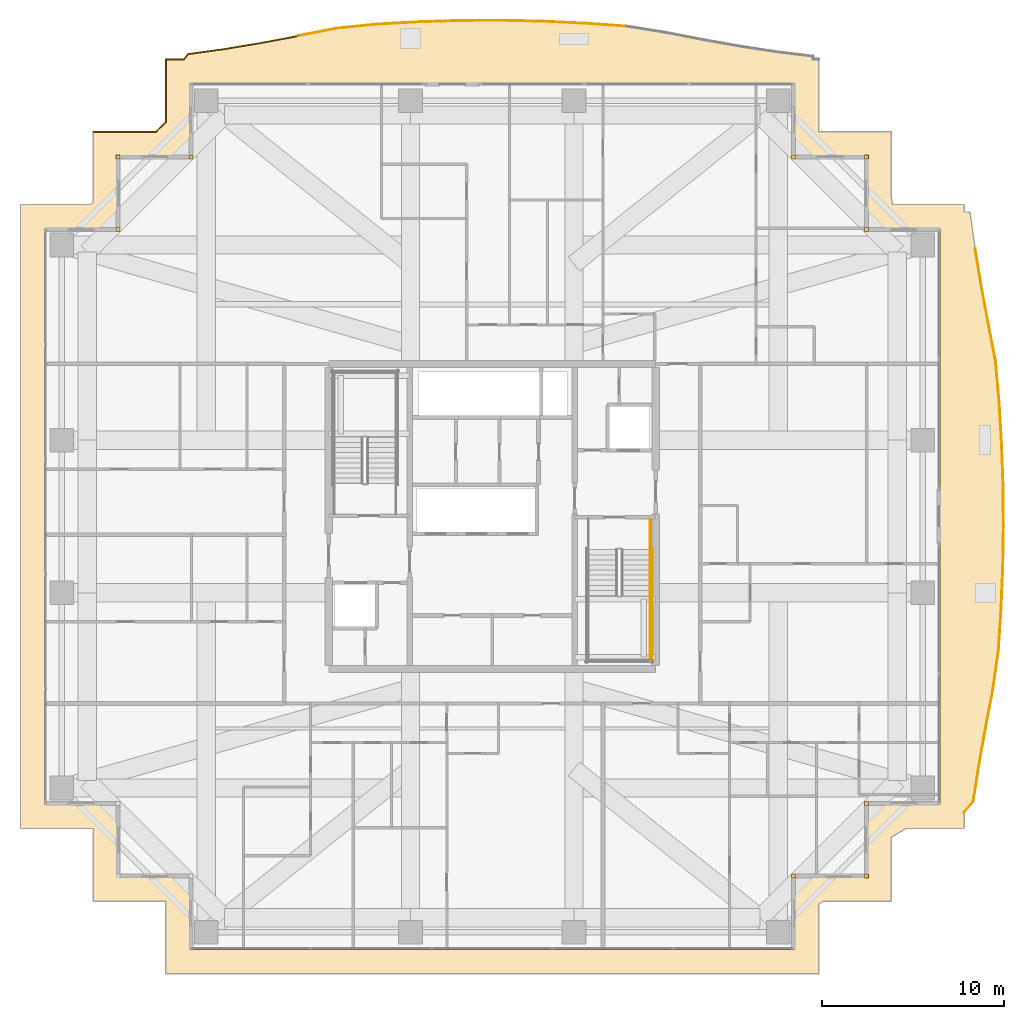
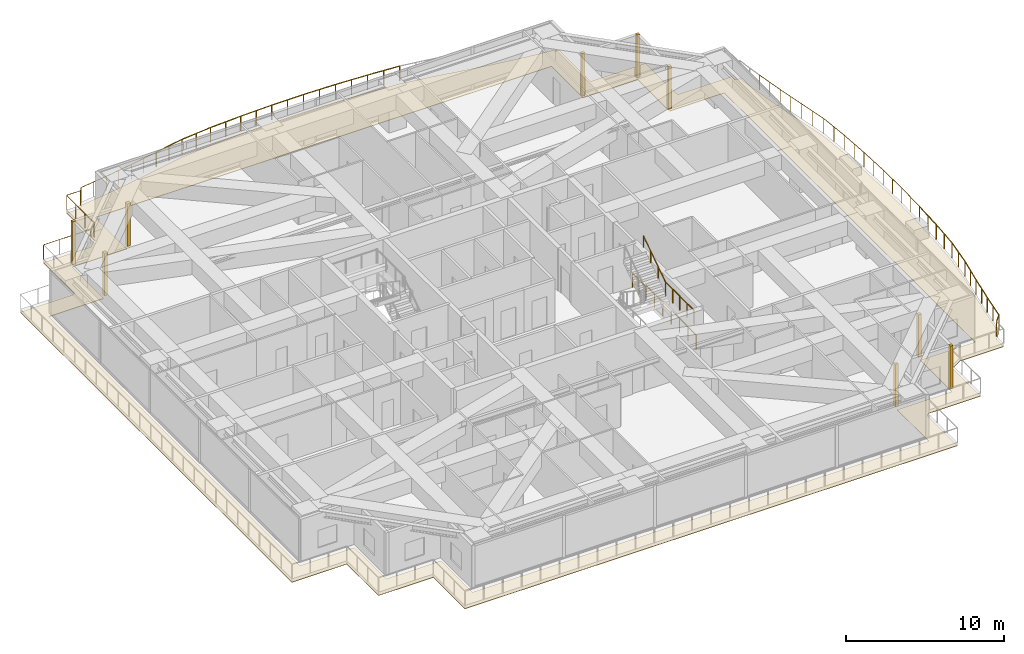
# One storey, part 31 of 32: 10 coverings, 8 railings.
"""IFC4 building model written with IfcOpenShell, lengths in metres."""

import ifcopenshell
import ifcopenshell.guid

model = None  # the IFC model being written
_history = None  # IfcOwnerHistory: only IFC2X3 demands one
_inside = {}  # id of a spatial element -> (the spatial element, [elements in it])
_under = {}  # id of a project, library or spatial element -> (it, [spatial elements below it])
_declared = {}  # id of a project -> (the project, [libraries it declares])
_typed = {}  # id of a type object -> (the type object, [elements of that type])
_made_of = {}  # id of a material, layer set ... -> (it, [elements and type objects made of it])


def new_model(schema):
    """Start an empty IFC model of exactly this schema.

    Asked for "IFC4X3", IfcOpenShell would pick the latest addendum, in which some entities
    have other attributes; the version numbers below select the first issue.
    IFC2X3 requires an IfcOwnerHistory on every rooted entity: one is made here for all.
    """
    global model, _history
    if schema == "IFC4X3":
        model = ifcopenshell.file(schema_version=(4, 3, 0, 0))
    else:
        model = ifcopenshell.file(schema=schema)
    _inside.clear()
    _under.clear()
    _declared.clear()
    _typed.clear()
    _made_of.clear()
    _history = None
    if model.schema == "IFC2X3":
        org = make("IfcOrganization", Name="unknown")
        user = make(
            "IfcPersonAndOrganization",
            ThePerson=make("IfcPerson", FamilyName="unknown"),
            TheOrganization=org,
        )
        app = make(
            "IfcApplication",
            ApplicationDeveloper=org,
            Version="unknown",
            ApplicationFullName="unknown",
            ApplicationIdentifier="unknown",
        )
        _history = make(
            "IfcOwnerHistory",
            OwningUser=user,
            OwningApplication=app,
            ChangeAction="ADDED",
            CreationDate=0,
        )
    return model


def make(cls, **values):
    """One entity of the class cls with the attributes given. An attribute that is None is left unset."""
    return model.create_entity(
        cls, **{name: value for name, value in values.items() if value is not None}
    )


def rooted(cls, **values):
    """An entity with a GlobalId (a new one), such as an element, a storey or a relation."""
    return make(cls, GlobalId=ifcopenshell.guid.new(), OwnerHistory=_history, **values)


def si_unit(unit_type, name, prefix=None):
    """IfcSIUnit, for example si_unit("LENGTHUNIT", "METRE", prefix="MILLI")."""
    return make("IfcSIUnit", UnitType=unit_type, Prefix=prefix, Name=name)


def assignment(units):
    """IfcUnitAssignment: the units of a project."""
    return None if units is None else make("IfcUnitAssignment", Units=units)


def point(xyz):
    """IfcCartesianPoint."""
    return None if xyz is None else make("IfcCartesianPoint", Coordinates=xyz)


def direction(xyz):
    """IfcDirection."""
    return None if xyz is None else make("IfcDirection", DirectionRatios=xyz)


def frame(location, z_axis=None, x_axis=None):
    """IfcAxis2Placement3D, a coordinate frame: its origin and axes. An axis left out is left unset."""
    return make(
        "IfcAxis2Placement3D",
        Location=point(location),
        Axis=direction(z_axis),
        RefDirection=direction(x_axis),
    )


def frame_2d(location, x_axis=None):
    """IfcAxis2Placement2D, a coordinate frame in the plane: its origin and x axis."""
    return make(
        "IfcAxis2Placement2D", Location=point(location), RefDirection=direction(x_axis)
    )


def origin():
    """The frame at (0, 0, 0) with its axes left unset."""
    return frame((0.0, 0.0, 0.0))


def origin_2d():
    """The frame at (0, 0) in the plane with its x axis left unset."""
    return frame_2d((0.0, 0.0))


def place(relative_to, where):
    """IfcLocalPlacement: puts the frame where relative to a parent placement (None: the world)."""
    return make(
        "IfcLocalPlacement", PlacementRelTo=relative_to, RelativePlacement=where
    )


def context(
    kind, dimensions, precision=None, world=None, true_north=None, identifier=None
):
    """IfcGeometricRepresentationContext, for example the 3D "Model" context."""
    return make(
        "IfcGeometricRepresentationContext",
        ContextIdentifier=identifier,
        ContextType=kind,
        CoordinateSpaceDimension=dimensions,
        Precision=precision,
        WorldCoordinateSystem=world,
        TrueNorth=true_north,
    )


def subcontext(parent, identifier, kind, view, scale=None):
    """IfcGeometricRepresentationSubContext, for example "Body" below "Model"."""
    return make(
        "IfcGeometricRepresentationSubContext",
        ContextIdentifier=identifier,
        ContextType=kind,
        ParentContext=parent,
        TargetScale=scale,
        TargetView=view,
    )


def project(units=None, contexts=None):
    """IfcProject with its units and contexts."""
    return rooted(
        "IfcProject",
        Name="project",
        RepresentationContexts=contexts,
        UnitsInContext=assignment(units),
    )


def spatial(cls, under=None, at=None, **own):
    """A site, building, storey or space (cls), placed at a placement, below another one or the project."""
    s = rooted(cls, ObjectPlacement=at, **own)
    if under is not None:
        _under.setdefault(under.id(), (under, []))[1].append(s)
    return s


def polyline(points):
    """IfcPolyline through the points."""
    return make("IfcPolyline", Points=[point(p) for p in points])


def profile(cls, at=None, kind="AREA", **sizes):
    """A parametric profile (cls). Its sizes go by their IFC names, for example OverallWidth=200.0."""
    return make(cls, ProfileType=kind, Position=at, **sizes)


def rectangle(**sizes):
    """IfcRectangleProfileDef."""
    return profile("IfcRectangleProfileDef", **sizes)


def circle(**sizes):
    """IfcCircleProfileDef."""
    return profile("IfcCircleProfileDef", **sizes)


def outline(outer, holes=None, kind="AREA"):
    """IfcArbitraryClosedProfileDef: a profile drawn as a closed curve; with holes, ...WithVoids."""
    if holes is None:
        return make("IfcArbitraryClosedProfileDef", ProfileType=kind, OuterCurve=outer)
    return make(
        "IfcArbitraryProfileDefWithVoids",
        ProfileType=kind,
        OuterCurve=outer,
        InnerCurves=holes,
    )


def extrude(swept, where, along, depth):
    """IfcExtrudedAreaSolid: the profile swept, set in the frame where, extruded along a direction by depth."""
    return make(
        "IfcExtrudedAreaSolid",
        SweptArea=swept,
        Position=where,
        ExtrudedDirection=direction(along),
        Depth=depth,
    )


def shape(context_of_items, identifier, shape_type, items):
    """IfcShapeRepresentation: the items that make up one representation, for example the "Body"."""
    return make(
        "IfcShapeRepresentation",
        ContextOfItems=context_of_items,
        RepresentationIdentifier=identifier,
        RepresentationType=shape_type,
        Items=items,
    )


def source(mapping_origin, context_of_items, identifier, shape_type, items):
    """IfcRepresentationMap: a shape defined once, which mapped items show again and again."""
    return make(
        "IfcRepresentationMap",
        MappingOrigin=mapping_origin,
        MappedRepresentation=shape(context_of_items, identifier, shape_type, items),
    )


def transform(
    local_origin,
    x_axis=None,
    y_axis=None,
    z_axis=None,
    scale=None,
    scale2=None,
    scale3=None,
    uniform=True,
):
    """IfcCartesianTransformationOperator3D, or its non-uniform kind. x_axis, y_axis, z_axis: its Axis1, 2, 3."""
    if uniform:
        return make(
            "IfcCartesianTransformationOperator3D",
            Axis1=direction(x_axis),
            Axis2=direction(y_axis),
            LocalOrigin=point(local_origin),
            Scale=scale,
            Axis3=direction(z_axis),
        )
    return make(
        "IfcCartesianTransformationOperator3DnonUniform",
        Axis1=direction(x_axis),
        Axis2=direction(y_axis),
        LocalOrigin=point(local_origin),
        Scale=scale,
        Axis3=direction(z_axis),
        Scale2=scale2,
        Scale3=scale3,
    )


def mapped(mapping_source, mapping_target):
    """IfcMappedItem: shows the shape of a source again, moved by a transform."""
    return make(
        "IfcMappedItem", MappingSource=mapping_source, MappingTarget=mapping_target
    )


def material(Name=None, Category=None):
    """IfcMaterial."""
    return make("IfcMaterial", Name=Name, Category=Category)


def layer(
    of_material, thickness, ventilated=None, Name=None, Category=None, Priority=None
):
    """IfcMaterialLayer: one layer of a wall or slab, of a material (None: an air gap)."""
    return make(
        "IfcMaterialLayer",
        Material=of_material,
        LayerThickness=thickness,
        IsVentilated=ventilated,
        Name=Name,
        Category=Category,
        Priority=Priority,
    )


def layer_set(layers, Name=None):
    """IfcMaterialLayerSet."""
    return make("IfcMaterialLayerSet", MaterialLayers=layers, LayerSetName=Name)


def made_of(thing, what):
    """Note that an element or type object is made of a material, layer set ...; save() writes the relation."""
    if what is not None:
        _made_of.setdefault(what.id(), (what, []))[1].append(thing)
    return thing


def type_object(cls, material=None, **own):
    """A type object (cls), such as IfcWallType, which elements share."""
    return made_of(rooted(cls, **own), material)


def element(
    cls,
    number,
    at=None,
    inside=None,
    cuts=None,
    type_object=None,
    material=None,
    context=None,
    identifier="Body",
    shape_type=None,
    held_by="IfcProductDefinitionShape",
    body=None,
    shapes=None,
    **own,
):
    """One element of the class cls, such as IfcWall. Its Tag is "e" and its number.

    at: its placement. inside: the storey or other place that contains it. cuts: it is an
    opening in that element (IfcRelVoidsElement). A single representation is given by context,
    identifier, shape_type and body (its items); several are given by shapes. held_by: the class
    of the entity that holds the representations. save() writes the other relations.
    """
    e = rooted(cls, Tag="e%d" % number, ObjectPlacement=at, **own)
    if body is not None:
        shapes = [shape(context, identifier, shape_type, body)]
    if shapes is not None:
        e.Representation = make(held_by, Representations=shapes)
    if inside is not None:
        _inside.setdefault(inside.id(), (inside, []))[1].append(e)
    if cuts is not None:
        rooted(
            "IfcRelVoidsElement", RelatingBuildingElement=cuts, RelatedOpeningElement=e
        )
    if type_object is not None:
        _typed.setdefault(type_object.id(), (type_object, []))[1].append(e)
    return made_of(e, material)


def aggregate(whole, parts):
    """IfcRelAggregates: a whole, such as a stair, and the parts it consists of."""
    return rooted("IfcRelAggregates", RelatingObject=whole, RelatedObjects=parts)


def save(model, path):
    """Write the relations noted so far, then the file.

    IfcRelAggregates (storeys below a building ...), IfcRelContainedInSpatialStructure (elements
    in a storey), IfcRelDefinesByType, IfcRelAssociatesMaterial and IfcRelDeclares: one each for
    every whole, place, type object, material and project.
    """
    for whole, parts in _under.values():
        aggregate(whole, parts)
    for where, things in _inside.values():
        rooted(
            "IfcRelContainedInSpatialStructure",
            RelatedElements=things,
            RelatingStructure=where,
        )
    for kind, things in _typed.values():
        rooted("IfcRelDefinesByType", RelatedObjects=things, RelatingType=kind)
    for what, things in _made_of.values():
        rooted("IfcRelAssociatesMaterial", RelatedObjects=things, RelatingMaterial=what)
    for by, libraries in _declared.values():
        rooted("IfcRelDeclares", RelatingContext=by, RelatedDefinitions=libraries)
    model.write(path)


model = new_model("IFC4")

# Units and contexts
model_context = context("Model", 3, precision=1e-05, world=origin(), true_north=direction((0.0, 1.0)))
body_context = subcontext(model_context, "Body", "Model", "MODEL_VIEW")
ifc_project = project(units=[si_unit("LENGTHUNIT", "METRE"), si_unit("AREAUNIT", "SQUARE_METRE"), si_unit("VOLUMEUNIT", "CUBIC_METRE"), si_unit("PLANEANGLEUNIT", "RADIAN"), si_unit("MASSUNIT", "GRAM", prefix="KILO")], contexts=[model_context])

# Site, building, storey
site_placement = place(None, origin())
site = spatial("IfcSite", under=ifc_project, at=site_placement, CompositionType="ELEMENT")
building_placement = place(site_placement, origin())
building = spatial("IfcBuilding", under=site, at=building_placement, Name="Serunith Strait Residences", CompositionType="ELEMENT")
storey_placement = place(building_placement, frame((0.0, 0.0, 195.14990234375)))
storey = spatial("IfcBuildingStorey", under=building, at=storey_placement, Name="L49", CompositionType="ELEMENT", Elevation=195.14990234375)

# Covering
ifc_material_1 = material(Name="Golden Teak Exterior Timber Boarding", Category="wood")
ifc_layer_1 = layer(ifc_material_1, 0.034912109375, Name="Golden Teak Exterior Timber Boarding")
ifc_layer_set_1 = layer_set([ifc_layer_1], Name="Golden Teak Exterior Timber Boarding")
covering_type_1 = type_object("IfcCoveringType", Name="COV-TEAK-SOFFIT", PredefinedType="CEILING", material=ifc_layer_set_1)
covering_placement = place(storey_placement, frame((0.0, 0.0, -0.324951171875)))
element("IfcCovering", 1, at=covering_placement, inside=storey, type_object=covering_type_1, Name="L49 Golden-Teak Balcony Soffit Lining", PredefinedType="CEILING", context=body_context, shape_type="SweptSolid", body=[
    extrude(outline(polyline([(10.419921875, 46.3798828125), (13.86669921875, 46.3798828125), (14.419921875, 46.912109375), (14.419921875, 50.3798828125), (15.430908203125, 50.3798828125), (15.63623046875, 50.666748046875), (17.635009765625, 50.944091796875), (19.652587890625, 51.279296875), (21.706787109375, 51.66455078125), (23.81787109375, 52.07568359375), (26.0419921875, 52.302734375), (28.319091796875, 52.4306640625), (30.621826171875, 52.50341796875), (32.935546875, 52.513916015625), (35.244384765625, 52.461181640625), (37.533447265625, 52.350341796875), (39.790771484375, 52.1923828125), (41.95361328125, 51.845703125), (44.033203125, 51.443603515625), (46.06640625, 51.0830078125), (48.072998046875, 50.7783203125), (50.068603515625, 50.531982421875), (50.0673828125, 50.3798828125), (50.3798828125, 50.3798828125), (50.3798828125, 46.3798828125), (54.3798828125, 46.3798828125), (54.3798828125, 42.7314453125), (54.431884765625, 42.3798828125), (58.3798828125, 42.3798828125), (58.3798828125, 41.973876953125), (58.708984375, 41.955078125), (58.98974609375, 39.9541015625), (59.325927734375, 37.933349609375), (59.70849609375, 35.87548828125), (60.1142578125, 33.76220703125), (60.315673828125, 31.535888671875), (60.44921875, 29.266845703125), (60.531494140625, 26.972412109375), (60.5546875, 24.666015625), (60.51611328125, 22.36181640625), (60.419677734375, 20.074462890625), (60.274658203125, 17.81591796875), (59.96435546875, 15.638427734375), (59.564697265625, 13.55029296875), (59.198486328125, 11.51025390625), (58.8837890625, 9.5), (58.3798828125, 8.912353515625), (58.3798828125, 8.02001953125), (55.173583984375, 8.02001953125), (54.3798828125, 7.54736328125), (54.3798828125, 4.02001953125), (50.606689453125, 4.02001953125), (50.3798828125, 3.838134765625), (50.3798828125, 0.02001953125), (14.419921875, 0.02001953125), (14.419921875, 4.02001953125), (10.419921875, 4.02001953125), (10.419921875, 8.02001953125), (6.419921875, 8.02001953125), (6.419921875, 42.3798828125), (10.284912109375, 42.3798828125), (10.419921875, 42.47802734375), (10.419921875, 46.3798828125)]), holes=[polyline([(49.054931640625, 1.344970703125), (49.054931640625, 5.344970703125), (53.054931640625, 5.344970703125), (53.054931640625, 9.344970703125), (57.054931640625, 9.344970703125), (57.054931640625, 41.054931640625), (53.054931640625, 41.054931640625), (53.054931640625, 45.054931640625), (49.054931640625, 45.054931640625), (49.054931640625, 49.054931640625), (15.7451171875, 49.054931640625), (15.7451171875, 45.054931640625), (11.7451171875, 45.054931640625), (11.7451171875, 41.054931640625), (7.7451171875, 41.054931640625), (7.7451171875, 9.344970703125), (11.7451171875, 9.344970703125), (11.7451171875, 5.344970703125), (15.7451171875, 5.344970703125), (15.7451171875, 1.344970703125), (49.054931640625, 1.344970703125)])]), origin(), (0.0, 0.0, 1.0), 0.03515625),
])

# Railings
ifc_material_2 = material(Name="Stainless Steel & Laminated Glass Balustrade", Category="steel")
railing_type_1 = type_object("IfcRailingType", Name="RLG-BALC-1150", PredefinedType="BALUSTRADE", material=ifc_material_2)
railing_1_placement = place(storey_placement, frame((10.419921875, 46.3798828125, -0.0498046875)))
element("IfcRailing", 2, at=railing_1_placement, inside=storey, type_object=railing_type_1, Name="L49 Swirling Balcony Perimeter Balustrade 1", PredefinedType="BALUSTRADE", context=body_context, shape_type="SweptSolid", body=[
    extrude(circle(Radius=0.02392578125, at=origin_2d()), frame((0.001953125, 0.0, 1.1259765625), z_axis=(1.0, 0.0, 0.0), x_axis=(0.0, 1.0, 0.0)), (0.0, 0.0, 1.0), 3.44287109375),
    extrude(circle(Radius=0.02392578125, at=origin_2d()), frame((3.4482421875, 0.00146484375, 1.1259765625), z_axis=(0.720649703464, 0.693299361673, 0.0), x_axis=(-0.693299361673, 0.720649703464, 0.0)), (0.0, 0.0, 1.0), 0.763671875),
    extrude(circle(Radius=0.02392578125, at=origin_2d()), frame((4.0, 0.5341796875, 1.1259765625), z_axis=(0.0, 1.0, 0.0), x_axis=(-1.0, 0.0, 0.0)), (0.0, 0.0, 1.0), 3.4638671875),
    extrude(circle(Radius=0.02392578125, at=origin_2d()), frame((4.001953125, 4.0, 1.1259765625), z_axis=(1.0, 0.0, 0.0), x_axis=(0.0, 1.0, 0.0)), (0.0, 0.0, 1.0), 1.007080078125),
    extrude(circle(Radius=0.02392578125, at=origin_2d()), frame((5.01220703125, 4.001708984375, 1.1259765625), z_axis=(0.582023505893, 0.813171961265, 0.0), x_axis=(-0.813171961265, 0.582023505893, 0.0)), (0.0, 0.0, 1.0), 0.348876953125),
    extrude(circle(Radius=0.02392578125, at=origin_2d()), frame((5.21826171875, 4.287109375, 1.1259765625), z_axis=(0.990510124192, 0.137439782714, 0.0), x_axis=(-0.137439782714, 0.990510124192, 0.0)), (0.0, 0.0, 1.0), 2.013916015625),
    extrude(circle(Radius=0.02392578125, at=origin_2d()), frame((7.217041015625, 4.564453125, 1.1259765625), z_axis=(0.986477677395, 0.163895674136, 0.0), x_axis=(-0.163895674136, 0.986477677395, 0.0)), (0.0, 0.0, 1.0), 2.041259765625),
    extrude(circle(Radius=0.02392578125, at=origin_2d()), frame((9.234619140625, 4.89990234375, 1.1259765625), z_axis=(0.982864251558, 0.184330852027, 0.0), x_axis=(-0.184330852027, 0.982864251558, 0.0)), (0.0, 0.0, 1.0), 2.0859375),
    extrude(circle(Radius=0.02099609375, at=origin_2d()), origin(), (0.0, 0.0, 1.0), 1.099853515625),
    extrude(circle(Radius=0.02099609375, at=origin_2d()), frame((1.14892578125, 0.0, 0.0)), (0.0, 0.0, 1.0), 1.099853515625),
    extrude(circle(Radius=0.02099609375, at=origin_2d()), frame((2.2978515625, 0.0, 0.0)), (0.0, 0.0, 1.0), 1.099853515625),
    extrude(circle(Radius=0.02099609375, at=origin_2d()), frame((3.44677734375, 0.0, 0.0)), (0.0, 0.0, 1.0), 1.099853515625),
    extrude(circle(Radius=0.02099609375, at=origin_2d()), frame((4.0, 0.5322265625, 0.0)), (0.0, 0.0, 1.0), 1.099853515625),
    extrude(circle(Radius=0.02099609375, at=origin_2d()), frame((4.0, 1.688232421875, 0.0)), (0.0, 0.0, 1.0), 1.099853515625),
    extrude(circle(Radius=0.02099609375, at=origin_2d()), frame((4.0, 2.843994140625, 0.0)), (0.0, 0.0, 1.0), 1.099853515625),
    extrude(circle(Radius=0.02099609375, at=origin_2d()), frame((4.0, 4.0, 0.0)), (0.0, 0.0, 1.0), 1.099853515625),
    extrude(circle(Radius=0.02099609375, at=origin_2d()), frame((5.010986328125, 4.0, 0.0)), (0.0, 0.0, 1.0), 1.099853515625),
    extrude(circle(Radius=0.02099609375, at=origin_2d()), frame((5.21630859375, 4.286865234375, 0.0)), (0.0, 0.0, 1.0), 1.099853515625),
    extrude(circle(Radius=0.02099609375, at=origin_2d()), frame((6.2158203125, 4.425537109375, 0.0)), (0.0, 0.0, 1.0), 1.099853515625),
    extrude(circle(Radius=0.02099609375, at=origin_2d()), frame((7.215087890625, 4.564208984375, 0.0)), (0.0, 0.0, 1.0), 1.099853515625),
    extrude(circle(Radius=0.02099609375, at=origin_2d()), frame((8.223876953125, 4.73193359375, 0.0)), (0.0, 0.0, 1.0), 1.099853515625),
    extrude(circle(Radius=0.02099609375, at=origin_2d()), frame((9.232666015625, 4.8994140625, 0.0)), (0.0, 0.0, 1.0), 1.099853515625),
    extrude(circle(Radius=0.02099609375, at=origin_2d()), frame((10.259765625, 5.092041015625, 0.0)), (0.0, 0.0, 1.0), 1.099853515625),
    extrude(circle(Radius=0.02099609375, at=origin_2d()), frame((11.286865234375, 5.28466796875, 0.0)), (0.0, 0.0, 1.0), 1.099853515625),
])
railing_2_placement = place(storey_placement, frame((21.706787109375, 51.66455078125, -0.0498046875)))
element("IfcRailing", 3, at=railing_2_placement, inside=storey, type_object=railing_type_1, Name="L49 Swirling Balcony Perimeter Balustrade 2", PredefinedType="BALUSTRADE", context=body_context, shape_type="SweptSolid", body=[
    extrude(circle(Radius=0.02392578125, at=origin_2d()), frame((0.001953125, 0.00048828125, 1.1259765625), z_axis=(0.981559223, 0.191158289757, 0.0), x_axis=(-0.191158289757, 0.981559223, 0.0)), (0.0, 0.0, 1.0), 2.146728515625),
    extrude(circle(Radius=0.02392578125, at=origin_2d()), frame((2.113037109375, 0.411376953125, 1.1259765625), z_axis=(0.994829640237, 0.101557800815, 0.0), x_axis=(-0.101557800815, 0.994829640237, 0.0)), (0.0, 0.0, 1.0), 2.231689453125),
    extrude(circle(Radius=0.02392578125, at=origin_2d()), frame((4.337158203125, 0.63818359375, 1.1259765625), z_axis=(0.998425574789, 0.056092527199, 0.0), x_axis=(-0.056092527199, 0.998425574789, 0.0)), (0.0, 0.0, 1.0), 2.276611328125),
    extrude(circle(Radius=0.02392578125, at=origin_2d()), frame((6.6142578125, 0.76611328125, 1.1259765625), z_axis=(0.999501264874, 0.031578814348, 0.0), x_axis=(-0.031578814348, 0.999501264874, 0.0)), (0.0, 0.0, 1.0), 2.2998046875),
    extrude(circle(Radius=0.02392578125, at=origin_2d()), frame((8.9169921875, 0.8388671875, 1.1259765625), z_axis=(0.99998970661, 0.004537254129, 0.0), x_axis=(-0.004537254129, 0.99998970661, 0.0)), (0.0, 0.0, 1.0), 2.309814453125),
    extrude(circle(Radius=0.02392578125, at=origin_2d()), frame((11.230712890625, 0.849365234375, 1.1259765625), z_axis=(0.99973926409, -0.022834268906, 0.0), x_axis=(0.022834268906, 0.99973926409, 0.0)), (0.0, 0.0, 1.0), 2.305419921875),
    extrude(circle(Radius=0.02392578125, at=origin_2d()), frame((13.53955078125, 0.796630859375, 1.1259765625), z_axis=(0.998829736571, -0.048364835794, 0.0), x_axis=(0.048364835794, 0.998829736571, 0.0)), (0.0, 0.0, 1.0), 2.287841796875),
    extrude(circle(Radius=0.02392578125, at=origin_2d()), frame((15.82861328125, 0.685546875, 1.1259765625), z_axis=(0.997560620282, -0.069805507389, 0.0), x_axis=(0.069805507389, 0.997560620282, 0.0)), (0.0, 0.0, 1.0), 2.2587890625),
    extrude(circle(Radius=0.02099609375, at=origin_2d()), origin(), (0.0, 0.0, 1.0), 1.099853515625),
    extrude(circle(Radius=0.02099609375, at=origin_2d()), frame((1.0556640625, 0.20556640625, 0.0)), (0.0, 0.0, 1.0), 1.099853515625),
    extrude(circle(Radius=0.02099609375, at=origin_2d()), frame((2.111083984375, 0.4111328125, 0.0)), (0.0, 0.0, 1.0), 1.099853515625),
    extrude(circle(Radius=0.02099609375, at=origin_2d()), frame((3.22314453125, 0.524658203125, 0.0)), (0.0, 0.0, 1.0), 1.099853515625),
    extrude(circle(Radius=0.02099609375, at=origin_2d()), frame((4.335205078125, 0.63818359375, 0.0)), (0.0, 0.0, 1.0), 1.099853515625),
    extrude(circle(Radius=0.02099609375, at=origin_2d()), frame((5.4736328125, 0.7021484375, 0.0)), (0.0, 0.0, 1.0), 1.099853515625),
    extrude(circle(Radius=0.02099609375, at=origin_2d()), frame((6.6123046875, 0.76611328125, 0.0)), (0.0, 0.0, 1.0), 1.099853515625),
    extrude(circle(Radius=0.02099609375, at=origin_2d()), frame((7.763671875, 0.802490234375, 0.0)), (0.0, 0.0, 1.0), 1.099853515625),
    extrude(circle(Radius=0.02099609375, at=origin_2d()), frame((8.9150390625, 0.8388671875, 0.0)), (0.0, 0.0, 1.0), 1.099853515625),
    extrude(circle(Radius=0.02099609375, at=origin_2d()), frame((10.07177734375, 0.84423828125, 0.0)), (0.0, 0.0, 1.0), 1.099853515625),
    extrude(circle(Radius=0.02099609375, at=origin_2d()), frame((11.228759765625, 0.849365234375, 0.0)), (0.0, 0.0, 1.0), 1.099853515625),
    extrude(circle(Radius=0.02099609375, at=origin_2d()), frame((12.38330078125, 0.822998046875, 0.0)), (0.0, 0.0, 1.0), 1.099853515625),
    extrude(circle(Radius=0.02099609375, at=origin_2d()), frame((13.53759765625, 0.796630859375, 0.0)), (0.0, 0.0, 1.0), 1.099853515625),
    extrude(circle(Radius=0.02099609375, at=origin_2d()), frame((14.68212890625, 0.7412109375, 0.0)), (0.0, 0.0, 1.0), 1.099853515625),
    extrude(circle(Radius=0.02099609375, at=origin_2d()), frame((15.82666015625, 0.685791015625, 0.0)), (0.0, 0.0, 1.0), 1.099853515625),
    extrude(circle(Radius=0.02099609375, at=origin_2d()), frame((16.955322265625, 0.60693359375, 0.0)), (0.0, 0.0, 1.0), 1.099853515625),
    extrude(circle(Radius=0.02099609375, at=origin_2d()), frame((18.083984375, 0.52783203125, 0.0)), (0.0, 0.0, 1.0), 1.099853515625),
])
railing_3_placement = place(storey_placement, frame((58.98974609375, 39.9541015625, -0.0498046875)))
element("IfcRailing", 4, at=railing_3_placement, inside=storey, type_object=railing_type_1, Name="L49 Swirling Balcony Perimeter Balustrade 5", PredefinedType="BALUSTRADE", context=body_context, shape_type="SweptSolid", body=[
    extrude(circle(Radius=0.02392578125, at=origin_2d()), frame((0.000244140625, -0.001953125, 1.1259765625), z_axis=(0.164109086042, -0.986442196927, 0.0), x_axis=(0.986442196927, 0.164109086042, 0.0)), (0.0, 0.0, 1.0), 2.04443359375),
    extrude(circle(Radius=0.02392578125, at=origin_2d()), frame((0.33642578125, -2.022705078125, 1.1259765625), z_axis=(0.182774202744, -0.983154916995, 0.0), x_axis=(0.983154916995, 0.182774202744, 0.0)), (0.0, 0.0, 1.0), 2.089111328125),
    extrude(circle(Radius=0.02392578125, at=origin_2d()), frame((0.71923828125, -4.08056640625, 1.1259765625), z_axis=(0.188561240969, -0.982061433111, 0.0), x_axis=(0.982061433111, 0.188561240969, 0.0)), (0.0, 0.0, 1.0), 2.14794921875),
    extrude(circle(Radius=0.02392578125, at=origin_2d()), frame((1.124755859375, -6.19384765625, 1.1259765625), z_axis=(0.090102457895, -0.995932501268, 0.0), x_axis=(0.995932501268, 0.090102457895, 0.0)), (0.0, 0.0, 1.0), 2.2314453125),
    extrude(circle(Radius=0.02392578125, at=origin_2d()), frame((1.325927734375, -8.420166015625, 1.1259765625), z_axis=(0.058753504289, -0.998272520775, 0.0), x_axis=(0.998272520775, 0.058753504289, 0.0)), (0.0, 0.0, 1.0), 2.26904296875),
    extrude(circle(Radius=0.02392578125, at=origin_2d()), frame((1.45947265625, -10.689208984375, 1.1259765625), z_axis=(0.035835661172, -0.999357696417, 0.0), x_axis=(0.999357696417, 0.035835661172, 0.0)), (0.0, 0.0, 1.0), 2.2919921875),
    extrude(circle(Radius=0.02392578125, at=origin_2d()), frame((1.541748046875, -12.983642578125, 1.1259765625), z_axis=(0.010055594042, -0.999949441236, 0.0), x_axis=(0.999949441236, 0.010055594042, 0.0)), (0.0, 0.0, 1.0), 2.302490234375),
    extrude(circle(Radius=0.02392578125, at=origin_2d()), frame((1.56494140625, -15.2900390625, 1.1259765625), z_axis=(-0.01673848956, -0.99985990167, 0.0), x_axis=(0.99985990167, -0.01673848956, 0.0)), (0.0, 0.0, 1.0), 2.300537109375),
    extrude(circle(Radius=0.02099609375, at=origin_2d()), origin(), (0.0, 0.0, 1.0), 1.099853515625),
    extrude(circle(Radius=0.02099609375, at=origin_2d()), frame((0.16796875, -1.01025390625, 0.0)), (0.0, 0.0, 1.0), 1.099853515625),
    extrude(circle(Radius=0.02099609375, at=origin_2d()), frame((0.336181640625, -2.020751953125, 0.0)), (0.0, 0.0, 1.0), 1.099853515625),
    extrude(circle(Radius=0.02099609375, at=origin_2d()), frame((0.52734375, -3.0498046875, 0.0)), (0.0, 0.0, 1.0), 1.099853515625),
    extrude(circle(Radius=0.02099609375, at=origin_2d()), frame((0.71875, -4.07861328125, 0.0)), (0.0, 0.0, 1.0), 1.099853515625),
    extrude(circle(Radius=0.02099609375, at=origin_2d()), frame((0.921630859375, -5.13525390625, 0.0)), (0.0, 0.0, 1.0), 1.099853515625),
    extrude(circle(Radius=0.02099609375, at=origin_2d()), frame((1.12451171875, -6.19189453125, 0.0)), (0.0, 0.0, 1.0), 1.099853515625),
    extrude(circle(Radius=0.02099609375, at=origin_2d()), frame((1.22509765625, -7.30517578125, 0.0)), (0.0, 0.0, 1.0), 1.099853515625),
    extrude(circle(Radius=0.02099609375, at=origin_2d()), frame((1.325927734375, -8.418212890625, 0.0)), (0.0, 0.0, 1.0), 1.099853515625),
    extrude(circle(Radius=0.02099609375, at=origin_2d()), frame((1.392578125, -9.552734375, 0.0)), (0.0, 0.0, 1.0), 1.099853515625),
    extrude(circle(Radius=0.02099609375, at=origin_2d()), frame((1.45947265625, -10.687255859375, 0.0)), (0.0, 0.0, 1.0), 1.099853515625),
    extrude(circle(Radius=0.02099609375, at=origin_2d()), frame((1.50048828125, -11.83447265625, 0.0)), (0.0, 0.0, 1.0), 1.099853515625),
    extrude(circle(Radius=0.02099609375, at=origin_2d()), frame((1.541748046875, -12.981689453125, 0.0)), (0.0, 0.0, 1.0), 1.099853515625),
    extrude(circle(Radius=0.02099609375, at=origin_2d()), frame((1.55322265625, -14.134765625, 0.0)), (0.0, 0.0, 1.0), 1.099853515625),
    extrude(circle(Radius=0.02099609375, at=origin_2d()), frame((1.56494140625, -15.2880859375, 0.0)), (0.0, 0.0, 1.0), 1.099853515625),
    extrude(circle(Radius=0.02099609375, at=origin_2d()), frame((1.545654296875, -16.440185546875, 0.0)), (0.0, 0.0, 1.0), 1.099853515625),
    extrude(circle(Radius=0.02099609375, at=origin_2d()), frame((1.5263671875, -17.59228515625, 0.0)), (0.0, 0.0, 1.0), 1.099853515625),
])
railing_4_placement = place(storey_placement, frame((60.51611328125, 22.36181640625, -0.0498046875)))
element("IfcRailing", 5, at=railing_4_placement, inside=storey, type_object=railing_type_1, Name="L49 Swirling Balcony Perimeter Balustrade 6", PredefinedType="BALUSTRADE", context=body_context, shape_type="SweptSolid", body=[
    extrude(circle(Radius=0.02392578125, at=origin_2d()), frame((0.0, -0.001953125, 1.1259765625), z_axis=(-0.042122895996, -0.999112436932, 0.0), x_axis=(0.999112436932, -0.042122895996, 0.0)), (0.0, 0.0, 1.0), 2.285400390625),
    extrude(circle(Radius=0.02392578125, at=origin_2d()), frame((-0.0966796875, -2.289306640625, 1.1259765625), z_axis=(-0.064077320559, -0.997944936853, 0.0), x_axis=(0.997944936853, -0.064077320559, 0.0)), (0.0, 0.0, 1.0), 2.25927734375),
    extrude(circle(Radius=0.02392578125, at=origin_2d()), frame((-0.24169921875, -4.5478515625, 1.1259765625), z_axis=(-0.141079471508, -0.989998274099, 0.0), x_axis=(0.989998274099, -0.141079471508, 0.0)), (0.0, 0.0, 1.0), 2.195556640625),
    extrude(circle(Radius=0.02392578125, at=origin_2d()), frame((-0.55224609375, -6.725341796875, 1.1259765625), z_axis=(-0.187982709776, -0.98217233764, 0.0), x_axis=(0.98217233764, -0.187982709776, 0.0)), (0.0, 0.0, 1.0), 2.1220703125),
    extrude(circle(Radius=0.02392578125, at=origin_2d()), frame((-0.95166015625, -8.8134765625, 1.1259765625), z_axis=(-0.17668747102, -0.98426700523, 0.0), x_axis=(0.98426700523, -0.17668747102, 0.0)), (0.0, 0.0, 1.0), 2.068603515625),
    extrude(circle(Radius=0.02392578125, at=origin_2d()), frame((-1.31787109375, -10.853515625, 1.1259765625), z_axis=(-0.154662370361, -0.987967383669, 0.0), x_axis=(0.987967383669, -0.154662370361, 0.0)), (0.0, 0.0, 1.0), 2.03076171875),
    extrude(circle(Radius=0.02392578125, at=origin_2d()), frame((-1.633544921875, -12.86328125, 1.1259765625), z_axis=(-0.65094719526, -0.759123013077, 0.0), x_axis=(0.759123013077, -0.65094719526, 0.0)), (0.0, 0.0, 1.0), 0.77001953125),
    extrude(circle(Radius=0.02099609375, at=origin_2d()), origin(), (0.0, 0.0, 1.0), 1.099853515625),
    extrude(circle(Radius=0.02099609375, at=origin_2d()), frame((-0.04833984375, -1.1435546875, 0.0)), (0.0, 0.0, 1.0), 1.099853515625),
    extrude(circle(Radius=0.02099609375, at=origin_2d()), frame((-0.096435546875, -2.287353515625, 0.0)), (0.0, 0.0, 1.0), 1.099853515625),
    extrude(circle(Radius=0.02099609375, at=origin_2d()), frame((-0.1689453125, -3.41650390625, 0.0)), (0.0, 0.0, 1.0), 1.099853515625),
    extrude(circle(Radius=0.02099609375, at=origin_2d()), frame((-0.241455078125, -4.5458984375, 0.0)), (0.0, 0.0, 1.0), 1.099853515625),
    extrude(circle(Radius=0.02099609375, at=origin_2d()), frame((-0.396484375, -5.634765625, 0.0)), (0.0, 0.0, 1.0), 1.099853515625),
    extrude(circle(Radius=0.02099609375, at=origin_2d()), frame((-0.5517578125, -6.723388671875, 0.0)), (0.0, 0.0, 1.0), 1.099853515625),
    extrude(circle(Radius=0.02099609375, at=origin_2d()), frame((-0.75146484375, -7.767578125, 0.0)), (0.0, 0.0, 1.0), 1.099853515625),
    extrude(circle(Radius=0.02099609375, at=origin_2d()), frame((-0.951416015625, -8.8115234375, 0.0)), (0.0, 0.0, 1.0), 1.099853515625),
    extrude(circle(Radius=0.02099609375, at=origin_2d()), frame((-1.134521484375, -9.83154296875, 0.0)), (0.0, 0.0, 1.0), 1.099853515625),
    extrude(circle(Radius=0.02099609375, at=origin_2d()), frame((-1.317626953125, -10.8515625, 0.0)), (0.0, 0.0, 1.0), 1.099853515625),
    extrude(circle(Radius=0.02099609375, at=origin_2d()), frame((-1.47509765625, -11.856689453125, 0.0)), (0.0, 0.0, 1.0), 1.099853515625),
    extrude(circle(Radius=0.02099609375, at=origin_2d()), frame((-1.63232421875, -12.86181640625, 0.0)), (0.0, 0.0, 1.0), 1.099853515625),
    extrude(circle(Radius=0.02099609375, at=origin_2d()), frame((-2.13623046875, -13.449462890625, 0.0)), (0.0, 0.0, 1.0), 1.099853515625),
])
ifc_material_3 = material(Name="Brushed stainless steel 316L", Category="steel")
railing_type_2 = type_object("IfcRailingType", Name="RLG-STAIR-GUARD", PredefinedType="BALUSTRADE", material=ifc_material_3)
railing_5_placement = place(storey_placement, frame((41.10009765625, 20.85009765625, 1.875)))
element("IfcRailing", 6, at=railing_5_placement, inside=storey, type_object=railing_type_2, Name="L49 ST-2 stair guard 4", PredefinedType="BALUSTRADE", context=body_context, shape_type="SweptSolid", body=[
    extrude(circle(Radius=0.02392578125, at=origin_2d()), frame((0.0, -0.001953125, 1.076171875), z_axis=(0.0, -1.0, 0.0), x_axis=(1.0, 0.0, 0.0)), (0.0, 0.0, 1.0), 3.59619140625),
    extrude(circle(Radius=0.02099609375, at=origin_2d()), origin(), (0.0, 0.0, 1.0), 1.050048828125),
    extrude(circle(Radius=0.02099609375, at=origin_2d()), frame((0.0, -0.89990234375, 0.0)), (0.0, 0.0, 1.0), 1.050048828125),
    extrude(circle(Radius=0.02099609375, at=origin_2d()), frame((0.0, -1.800048828125, 0.0)), (0.0, 0.0, 1.0), 1.050048828125),
    extrude(circle(Radius=0.02099609375, at=origin_2d()), frame((0.0, -2.7001953125, 0.0)), (0.0, 0.0, 1.0), 1.050048828125),
    extrude(circle(Radius=0.02099609375, at=origin_2d()), frame((0.0, -3.60009765625, 0.0)), (0.0, 0.0, 1.0), 1.050048828125),
])
railing_6_placement = place(storey_placement, frame((41.10009765625, 25.050048828125, 0.0)))
element("IfcRailing", 7, at=railing_6_placement, inside=storey, type_object=railing_type_2, Name="L49 ST-2 stair guard 9", PredefinedType="BALUSTRADE", context=body_context, shape_type="SweptSolid", body=[
    extrude(circle(Radius=0.02392578125, at=origin_2d()), frame((0.0, -0.001953125, 1.076171875), z_axis=(0.0, -1.0, 0.0), x_axis=(1.0, 0.0, 0.0)), (0.0, 0.0, 1.0), 1.676025390625),
    extrude(circle(Radius=0.02099609375, at=origin_2d()), origin(), (0.0, 0.0, 1.0), 1.050048828125),
    extrude(circle(Radius=0.02099609375, at=origin_2d()), frame((0.0, -0.83984375, 0.0)), (0.0, 0.0, 1.0), 1.050048828125),
    extrude(circle(Radius=0.02099609375, at=origin_2d()), frame((0.0, -1.679931640625, 0.0)), (0.0, 0.0, 1.0), 1.050048828125),
])
railing_7_placement = place(storey_placement, frame((41.199951171875, 23.469970703125, 0.0)))
element("IfcRailing", 8, at=railing_7_placement, inside=storey, type_object=railing_type_2, Name="L49 ST-2 stair guard 11", PredefinedType="BALUSTRADE", context=body_context, shape_type="SweptSolid", body=[
    extrude(circle(Radius=0.02392578125, at=origin_2d()), frame((0.0, -0.001953125, 1.076171875), z_axis=(0.0, -1.0, 0.0), x_axis=(1.0, 0.0, 0.0)), (0.0, 0.0, 1.0), 6.316162109375),
    extrude(circle(Radius=0.02099609375, at=origin_2d()), origin(), (0.0, 0.0, 1.0), 1.050048828125),
    extrude(circle(Radius=0.02099609375, at=origin_2d()), frame((0.0, -1.05322265625, 0.0)), (0.0, 0.0, 1.0), 1.050048828125),
    extrude(circle(Radius=0.02099609375, at=origin_2d()), frame((0.0, -2.106689453125, 0.0)), (0.0, 0.0, 1.0), 1.050048828125),
    extrude(circle(Radius=0.02099609375, at=origin_2d()), frame((0.0, -3.16015625, 0.0)), (0.0, 0.0, 1.0), 1.050048828125),
    extrude(circle(Radius=0.02099609375, at=origin_2d()), frame((0.0, -4.21337890625, 0.0)), (0.0, 0.0, 1.0), 1.050048828125),
    extrude(circle(Radius=0.02099609375, at=origin_2d()), frame((0.0, -5.2666015625, 0.0)), (0.0, 0.0, 1.0), 1.050048828125),
    extrude(circle(Radius=0.02099609375, at=origin_2d()), frame((0.0, -6.320068359375, 0.0)), (0.0, 0.0, 1.0), 1.050048828125),
])
railing_type_3 = type_object("IfcRailingType", Name="RLG-STAIR-HR", PredefinedType="HANDRAIL", material=ifc_material_3)
railing_8_placement = place(storey_placement, frame((41.10009765625, 20.85009765625, 2.0625)))
element("IfcRailing", 9, at=railing_8_placement, inside=storey, type_object=railing_type_3, Name="L49 ST-2 stair handrail 2", PredefinedType="HANDRAIL", context=body_context, shape_type="SweptSolid", body=[
    extrude(circle(Radius=0.02392578125, at=origin_2d()), frame((0.0, 0.001708984375, 0.876953125), z_axis=(0.0, 0.830185712471, 0.557486935101), x_axis=(-1.0, 0.0, 0.0)), (0.0, 0.0, 1.0), 3.368408203125),
    extrude(circle(Radius=0.02099609375, at=origin_2d()), origin(), (0.0, 0.0, 1.0), 0.849853515625),
    extrude(circle(Radius=0.02099609375, at=origin_2d()), frame((0.0, 0.933349609375, 0.626708984375)), (0.0, 0.0, 1.0), 0.849853515625),
    extrude(circle(Radius=0.02099609375, at=origin_2d()), frame((0.0, 1.866455078125, 1.25341796875)), (0.0, 0.0, 1.0), 0.849853515625),
    extrude(circle(Radius=0.02099609375, at=origin_2d()), frame((0.0, 2.7998046875, 1.880126953125)), (0.0, 0.0, 1.0), 0.849853515625),
])

# Coverings
ifc_material_4 = material(Name="Pale-Champagne Anodised Aluminium", Category="aluminium")
ifc_layer_2 = layer(ifc_material_4, 0.219970703125, Name="Pale-Champagne Anodised Aluminium")
ifc_layer_set_2 = layer_set([ifc_layer_2], Name="Pale-Champagne Anodised Aluminium")
covering_type_2 = type_object("IfcCoveringType", Name="COV-CORN-TRIM", PredefinedType="CLADDING", material=ifc_layer_set_2)
shared_shape = source(origin(), body_context, "Body", "SweptSolid", [
    extrude(rectangle(XDim=0.221923828125, YDim=0.221923828125, at=origin_2d()), origin(), (0.0, 0.0, 1.0), 3.294921875),
])
for number, where, z_axis, x_axis, name in (
    (10, (49.0, 5.39990234375, 0.000244140625), (0.0, 0.0, 1.0), (1.0, 0.0, 0.0), "L49 Girih Serrated Corner Trim Post 02"),
    (11, (53.0, 5.39990234375, 0.000244140625), (0.0, 0.0, 1.0), (1.0, 0.0, 0.0), "L49 Girih Serrated Corner Trim Post 03"),
    (12, (53.0, 9.39990234375, 0.000244140625), (0.0, 0.0, 1.0), (1.0, 0.0, 0.0), "L49 Girih Serrated Corner Trim Post 04"),
    (13, (53.0, 41.0, 0.000244140625), (0.0, 0.0, 1.0), (1.0, 0.0, 0.0), "L49 Girih Serrated Corner Trim Post 07"),
    (14, (53.0, 45.0, 0.000244140625), (0.0, 0.0, 1.0), (1.0, 0.0, 0.0), "L49 Girih Serrated Corner Trim Post 08"),
    (15, (49.0, 45.0, 0.000244140625), (0.0, 0.0, 1.0), (1.0, 0.0, 0.0), "L49 Girih Serrated Corner Trim Post 09"),
    (16, (15.800048828125, 45.0, 0.000244140625), (0.0, 0.0, 1.0), (1.0, 0.0, 0.0), "L49 Girih Serrated Corner Trim Post 12"),
    (17, (11.800048828125, 45.0, 0.000244140625), (0.0, 0.0, 1.0), (1.0, 0.0, 0.0), "L49 Girih Serrated Corner Trim Post 13"),
    (18, (11.800048828125, 41.0, 0.000244140625), (0.0, 0.0, 1.0), (1.0, 0.0, 0.0), "L49 Girih Serrated Corner Trim Post 14"),
):
    element("IfcCovering", number, at=place(storey_placement, frame(where, z_axis=z_axis, x_axis=x_axis)), inside=storey, type_object=covering_type_2, Name=name, PredefinedType="CLADDING", context=body_context, shape_type="MappedRepresentation", body=[
        mapped(shared_shape, transform((0.0, 0.0, 0.0), scale=1.0)),
    ])

save(model, "model.ifc")
